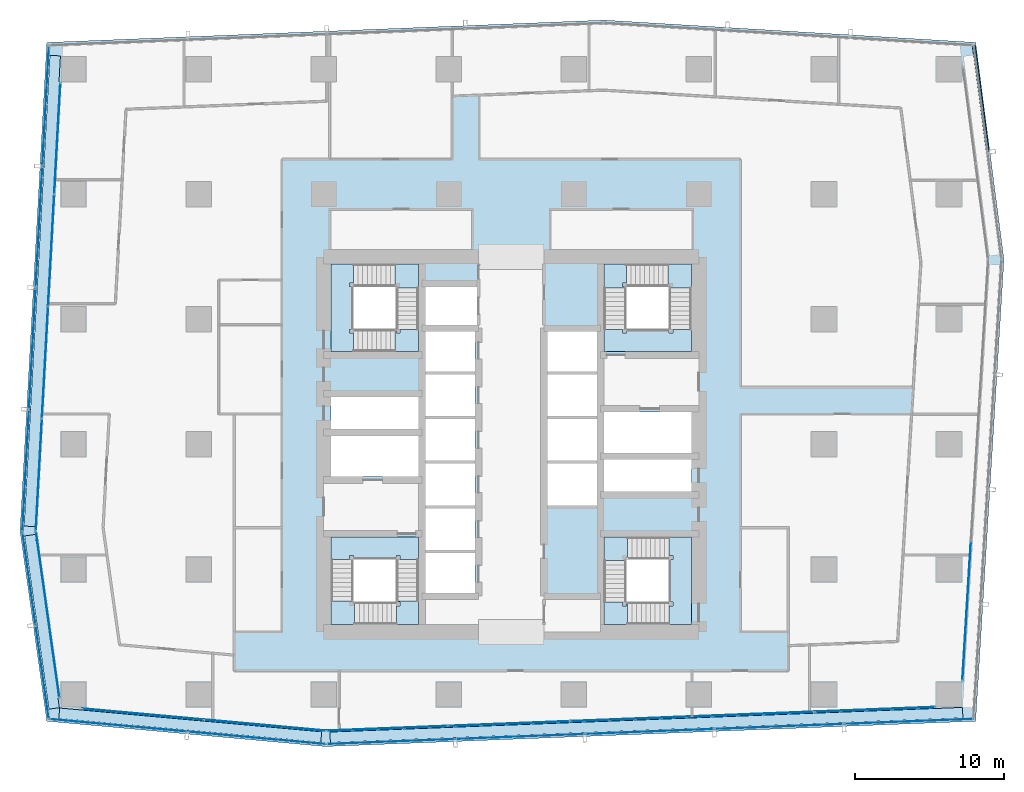
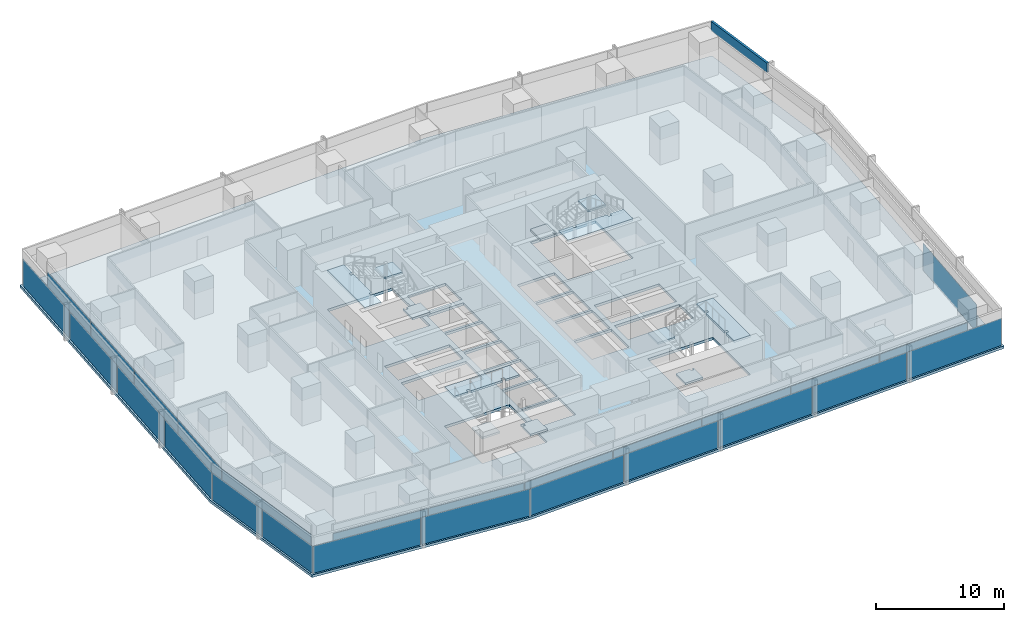
# One storey, part 27 of 40: 30 plates, 13 slabs, 1 member, 14 elements without a shape of their own.
"""IFC4 building model written with IfcOpenShell, lengths in metres."""

from ifc_helpers import new_model, si_unit, direction, frame, origin, origin_2d, place, context, subcontext, project, spatial, polyline, rectangle, hollow_rectangle, outline, extrude, material, layer, layer_set, material_profile, profile_set, type_object, element, aggregate, save


model = new_model("IFC4")

# Units and contexts
model_context = context("Model", 3, precision=1e-05, world=origin(), true_north=direction((0.0, 1.0)))
body_context = subcontext(model_context, "Body", "Model", "MODEL_VIEW")
ifc_project = project(units=[si_unit("LENGTHUNIT", "METRE"), si_unit("AREAUNIT", "SQUARE_METRE"), si_unit("VOLUMEUNIT", "CUBIC_METRE"), si_unit("PLANEANGLEUNIT", "RADIAN"), si_unit("MASSUNIT", "GRAM", prefix="KILO")], contexts=[model_context])

# Site, building, storey
site_placement = place(None, origin())
site = spatial("IfcSite", under=ifc_project, at=site_placement, CompositionType="ELEMENT")
building_placement = place(site_placement, origin())
building = spatial("IfcBuilding", under=site, at=building_placement, Name="Rekha Terrace Tower", CompositionType="ELEMENT")
storey_placement = place(building_placement, frame((0.0, 0.0, 102.800048828125)))
storey = spatial("IfcBuildingStorey", under=building, at=storey_placement, Name="L25", CompositionType="ELEMENT", Elevation=102.800048828125)

# Curtain wall, member
ifc_material_1 = material(Name="Aluminium framing", Category="aluminium")
curtain_wall_type_1 = type_object("IfcCurtainWallType", Name="CW2 double skin outer glazing", PredefinedType="USERDEFINED", material=ifc_material_1)
curtain_wall_1_placement = place(storey_placement, origin())
curtain_wall_1 = element("IfcCurtainWall", 1, at=curtain_wall_1_placement, inside=storey, type_object=curtain_wall_type_1, Name="CW2 double skin outer glazing", ObjectType="DOUBLE SKIN OUTER GLAZING", PredefinedType="USERDEFINED")
ifc_material_2 = material(Name="Insulated aluminium spandrel box", Category="aluminium")
ifc_material_profile = material_profile(ifc_material_2, hollow_rectangle(XDim=0.199951171875, YDim=0.89990234375, WallThickness=0.0029296875, at=origin_2d()), Name="AL SPANDREL BOX 200x900")
ifc_profile_set = profile_set([ifc_material_profile], Name="Insulated aluminium spandrel box")
member_type = type_object("IfcMemberType", Name="CW2 spandrel transom 200 x 900", PredefinedType="USERDEFINED", material=ifc_profile_set)
member_placement = place(storey_placement, frame((69.793701171875, 53.26513671875, 3.050048828125), z_axis=(-0.12912937971, 0.9916277544, 0.0), x_axis=(-0.9916277544, -0.12912937971, 0.0)))
member = element("IfcMember", 2, at=member_placement, type_object=member_type, Name="CW2 spandrel transom 2", ObjectType="TRANSOM", PredefinedType="USERDEFINED", context=body_context, shape_type="SweptSolid", body=[
    extrude(hollow_rectangle(XDim=0.199951171875, YDim=0.89990234375, WallThickness=0.0029296875, at=origin_2d()), origin(), (0.0, 0.0, 1.0), 7.163818359375),
])
aggregate(curtain_wall_1, [member])

# Curtain wall, plates
curtain_wall_type_2 = type_object("IfcCurtainWallType", Name="CW1 double skin inner glazing", PredefinedType="USERDEFINED", material=ifc_material_1)
curtain_wall_2_placement = place(storey_placement, origin())
curtain_wall_2 = element("IfcCurtainWall", 3, at=curtain_wall_2_placement, inside=storey, type_object=curtain_wall_type_2, Name="CW1 double skin inner glazing", ObjectType="DOUBLE SKIN INNER GLAZING", PredefinedType="USERDEFINED")
ifc_material_3 = material(Name="Double-glazed low-e unit 32", Category="glass")
ifc_layer_1 = layer(ifc_material_3, 0.031982421875)
ifc_layer_set_1 = layer_set([ifc_layer_1], Name="Double-glazed low-e unit 32")
plate_type_1 = type_object("IfcPlateType", Name="CW1 jumbo vision panel, double-glazed low-e unit 32", PredefinedType="CURTAIN_PANEL", material=ifc_layer_set_1)
plate_1_placement = place(storey_placement, frame((13.0439453125, 15.479248046875, 0.0), z_axis=(0.0, 0.0, 1.0), x_axis=(0.995901923142, -0.090439811381, 0.0)))
plate_1 = element("IfcPlate", 4, at=plate_1_placement, type_object=plate_type_1, Name="CW1 panel 1.1", PredefinedType="CURTAIN_PANEL", context=body_context, shape_type="SweptSolid", body=[
    extrude(rectangle(XDim=8.1494140625, YDim=0.031982421875, at=origin_2d()), origin(), (0.0, 0.0, 1.0), 2.60009765625),
])
plate_2_placement = place(storey_placement, frame((21.257080078125, 14.7333984375, 0.0), z_axis=(0.0, 0.0, 1.0), x_axis=(0.995901923142, -0.090439811381, 0.0)))
plate_2 = element("IfcPlate", 5, at=plate_2_placement, type_object=plate_type_1, Name="CW1 panel 2.1", PredefinedType="CURTAIN_PANEL", context=body_context, shape_type="SweptSolid", body=[
    extrude(rectangle(XDim=8.214599609375, YDim=0.031982421875, at=origin_2d()), origin(), (0.0, 0.0, 1.0), 2.60009765625),
])
aggregate(curtain_wall_2, [plate_1, plate_2])

curtain_wall_3_placement = place(storey_placement, origin())
curtain_wall_3 = element("IfcCurtainWall", 6, at=curtain_wall_3_placement, inside=storey, type_object=curtain_wall_type_2, Name="CW1 double skin inner glazing", ObjectType="DOUBLE SKIN INNER GLAZING", PredefinedType="USERDEFINED")
plate_3_placement = place(storey_placement, frame((29.4619140625, 14.52197265625, 0.0), z_axis=(0.0, 0.0, 1.0), x_axis=(0.999243498917, 0.038889971345, 0.0)))
plate_3 = element("IfcPlate", 7, at=plate_3_placement, type_object=plate_type_1, Name="CW1 panel 1.1", PredefinedType="CURTAIN_PANEL", context=body_context, shape_type="SweptSolid", body=[
    extrude(rectangle(XDim=8.105224609375, YDim=0.031982421875, at=origin_2d()), origin(), (0.0, 0.0, 1.0), 2.60009765625),
])
plate_4_placement = place(storey_placement, frame((37.64208984375, 14.84033203125, 0.0), z_axis=(0.0, 0.0, 1.0), x_axis=(0.999243498917, 0.038889971345, 0.0)))
plate_4 = element("IfcPlate", 8, at=plate_4_placement, type_object=plate_type_1, Name="CW1 panel 2.1", PredefinedType="CURTAIN_PANEL", context=body_context, shape_type="SweptSolid", body=[
    extrude(rectangle(XDim=8.1376953125, YDim=0.031982421875, at=origin_2d()), origin(), (0.0, 0.0, 1.0), 2.60009765625),
])
plate_5_placement = place(storey_placement, frame((45.838623046875, 15.159423828125, 0.0), z_axis=(0.0, 0.0, 1.0), x_axis=(0.999243498917, 0.038889971345, 0.0)))
plate_5 = element("IfcPlate", 9, at=plate_5_placement, type_object=plate_type_1, Name="CW1 panel 3.1", PredefinedType="CURTAIN_PANEL", context=body_context, shape_type="SweptSolid", body=[
    extrude(rectangle(XDim=8.1376953125, YDim=0.031982421875, at=origin_2d()), origin(), (0.0, 0.0, 1.0), 2.60009765625),
])
plate_6_placement = place(storey_placement, frame((54.034912109375, 15.478271484375, 0.0), z_axis=(0.0, 0.0, 1.0), x_axis=(0.999243498917, 0.038889971345, 0.0)))
plate_6 = element("IfcPlate", 10, at=plate_6_placement, type_object=plate_type_1, Name="CW1 panel 4.1", PredefinedType="CURTAIN_PANEL", context=body_context, shape_type="SweptSolid", body=[
    extrude(rectangle(XDim=8.1376953125, YDim=0.031982421875, at=origin_2d()), origin(), (0.0, 0.0, 1.0), 2.60009765625),
])
plate_7_placement = place(storey_placement, frame((62.21533203125, 15.796630859375, 0.0), z_axis=(0.0, 0.0, 1.0), x_axis=(0.999243498917, 0.038889971345, 0.0)))
plate_7 = element("IfcPlate", 11, at=plate_7_placement, type_object=plate_type_1, Name="CW1 panel 5.1", PredefinedType="CURTAIN_PANEL", context=body_context, shape_type="SweptSolid", body=[
    extrude(rectangle(XDim=8.105224609375, YDim=0.031982421875, at=origin_2d()), origin(), (0.0, 0.0, 1.0), 2.60009765625),
])
aggregate(curtain_wall_3, [plate_3, plate_4, plate_5, plate_6, plate_7])

# Curtain wall, plate
curtain_wall_4_placement = place(storey_placement, origin())
curtain_wall_4 = element("IfcCurtainWall", 12, at=curtain_wall_4_placement, inside=storey, type_object=curtain_wall_type_2, Name="CW1 double skin inner glazing", ObjectType="DOUBLE SKIN INNER GLAZING", PredefinedType="USERDEFINED")
plate_8_placement = place(storey_placement, frame((68.391357421875, 22.400634765625, 0.0), z_axis=(0.0, 0.0, 1.0), x_axis=(0.061159803131, 0.998127987024, 0.0)))
plate_8 = element("IfcPlate", 13, at=plate_8_placement, type_object=plate_type_1, Name="CW1 panel 1.1", PredefinedType="CURTAIN_PANEL", context=body_context, shape_type="SweptSolid", body=[
    extrude(rectangle(XDim=9.355224609375, YDim=0.031982421875, at=origin_2d()), origin(), (0.0, 0.0, 1.0), 2.60009765625),
])
aggregate(curtain_wall_4, [plate_8])

# Curtain wall, plates
curtain_wall_5_placement = place(storey_placement, origin())
curtain_wall_5 = element("IfcCurtainWall", 14, at=curtain_wall_5_placement, inside=storey, type_object=curtain_wall_type_2, Name="CW1 double skin inner glazing", ObjectType="DOUBLE SKIN INNER GLAZING", PredefinedType="USERDEFINED")
plate_9_placement = place(storey_placement, frame((7.30810546875, 54.15087890625, 0.0), z_axis=(0.0, 0.0, 1.0), x_axis=(-0.054742352707, -0.99850051318, 0.0)))
plate_9 = element("IfcPlate", 15, at=plate_9_placement, type_object=plate_type_1, Name="CW1 panel 1.1", PredefinedType="CURTAIN_PANEL", context=body_context, shape_type="SweptSolid", body=[
    extrude(rectangle(XDim=7.443359375, YDim=0.031982421875, at=origin_2d()), origin(), (0.0, 0.0, 1.0), 2.60009765625),
])
plate_10_placement = place(storey_placement, frame((6.89599609375, 46.637451171875, 0.0), z_axis=(0.0, 0.0, 1.0), x_axis=(-0.054742352707, -0.99850051318, 0.0)))
plate_10 = element("IfcPlate", 16, at=plate_10_placement, type_object=plate_type_1, Name="CW1 panel 2.1", PredefinedType="CURTAIN_PANEL", context=body_context, shape_type="SweptSolid", body=[
    extrude(rectangle(XDim=7.475830078125, YDim=0.031982421875, at=origin_2d()), origin(), (0.0, 0.0, 1.0), 2.60009765625),
])
plate_11_placement = place(storey_placement, frame((6.4833984375, 39.10791015625, 0.0), z_axis=(0.0, 0.0, 1.0), x_axis=(-0.054742352707, -0.99850051318, 0.0)))
plate_11 = element("IfcPlate", 17, at=plate_11_placement, type_object=plate_type_1, Name="CW1 panel 3.1", PredefinedType="CURTAIN_PANEL", context=body_context, shape_type="SweptSolid", body=[
    extrude(rectangle(XDim=7.475830078125, YDim=0.031982421875, at=origin_2d()), origin(), (0.0, 0.0, 1.0), 2.60009765625),
])
plate_12_placement = place(storey_placement, frame((6.069580078125, 31.56201171875, 0.0), z_axis=(0.0, 0.0, 1.0), x_axis=(-0.054742352707, -0.99850051318, 0.0)))
plate_12 = element("IfcPlate", 18, at=plate_12_placement, type_object=plate_type_1, Name="CW1 panel 4.1", PredefinedType="CURTAIN_PANEL", context=body_context, shape_type="SweptSolid", body=[
    extrude(rectangle(XDim=7.508544921875, YDim=0.031982421875, at=origin_2d()), origin(), (0.0, 0.0, 1.0), 2.60009765625),
])
aggregate(curtain_wall_5, [plate_9, plate_10, plate_11, plate_12])

# Curtain wall, plate
curtain_wall_6_placement = place(storey_placement, origin())
curtain_wall_6 = element("IfcCurtainWall", 19, at=curtain_wall_6_placement, inside=storey, type_object=curtain_wall_type_2, Name="CW1 double skin inner glazing", ObjectType="DOUBLE SKIN INNER GLAZING", PredefinedType="USERDEFINED")
plate_13_placement = place(storey_placement, frame((6.65869140625, 22.177490234375, 0.0), z_axis=(0.0, 0.0, 1.0), x_axis=(0.139597048082, -0.990208394312, 0.0)))
plate_13 = element("IfcPlate", 20, at=plate_13_placement, type_object=plate_type_1, Name="CW1 panel 1.1", PredefinedType="CURTAIN_PANEL", context=body_context, shape_type="SweptSolid", body=[
    extrude(rectangle(XDim=11.253173828125, YDim=0.031982421875, at=origin_2d()), origin(), (0.0, 0.0, 1.0), 2.60009765625),
])
aggregate(curtain_wall_6, [plate_13])

# Curtain wall, plates
curtain_wall_7_placement = place(storey_placement, origin())
curtain_wall_7 = element("IfcCurtainWall", 21, at=curtain_wall_7_placement, inside=storey, type_object=curtain_wall_type_1, Name="CW2 double skin outer glazing", ObjectType="DOUBLE SKIN OUTER GLAZING", PredefinedType="USERDEFINED")
ifc_material_4 = material(Name="Toughened single glazing 12", Category="glass")
ifc_layer_2 = layer(ifc_material_4, 0.011962890625)
ifc_layer_set_2 = layer_set([ifc_layer_2], Name="Toughened single glazing 12")
plate_type_2 = type_object("IfcPlateType", Name="CW2 jumbo vision panel, toughened single glazing 12", PredefinedType="CURTAIN_PANEL", material=ifc_layer_set_2)
plate_14_placement = place(storey_placement, frame((11.406494140625, 14.72412109375, 0.0), z_axis=(0.0, 0.0, 1.0), x_axis=(0.995901923137, -0.090439811433, 0.0)))
plate_14 = element("IfcPlate", 22, at=plate_14_placement, type_object=plate_type_2, Name="CW2 panel 1.1", PredefinedType="CURTAIN_PANEL", context=body_context, shape_type="SweptSolid", body=[
    extrude(rectangle(XDim=9.2099609375, YDim=0.011962890625, at=origin_2d()), origin(), (0.0, 0.0, 1.0), 2.60009765625),
])
plate_15_placement = place(storey_placement, frame((20.6982421875, 13.88037109375, 0.0), z_axis=(0.0, 0.0, 1.0), x_axis=(0.995901923137, -0.090439811433, 0.0)))
plate_15 = element("IfcPlate", 23, at=plate_15_placement, type_object=plate_type_2, Name="CW2 panel 2.1", PredefinedType="CURTAIN_PANEL", context=body_context, shape_type="SweptSolid", body=[
    extrude(rectangle(XDim=9.2900390625, YDim=0.011962890625, at=origin_2d()), origin(), (0.0, 0.0, 1.0), 2.60009765625),
])
aggregate(curtain_wall_7, [plate_14, plate_15])

curtain_wall_8_placement = place(storey_placement, origin())
curtain_wall_8 = element("IfcCurtainWall", 24, at=curtain_wall_8_placement, inside=storey, type_object=curtain_wall_type_1, Name="CW2 double skin outer glazing", ObjectType="DOUBLE SKIN OUTER GLAZING", PredefinedType="USERDEFINED")
plate_16_placement = place(storey_placement, frame((29.696533203125, 13.63037109375, 0.0), z_axis=(0.0, 0.0, 1.0), x_axis=(0.999243498917, 0.038889971345, 0.0)))
plate_16 = element("IfcPlate", 25, at=plate_16_placement, type_object=plate_type_2, Name="CW2 panel 1.1", PredefinedType="CURTAIN_PANEL", context=body_context, shape_type="SweptSolid", body=[
    extrude(rectangle(XDim=8.591552734375, YDim=0.011962890625, at=origin_2d()), origin(), (0.0, 0.0, 1.0), 2.60009765625),
])
plate_17_placement = place(storey_placement, frame((38.381591796875, 13.968505859375, 0.0), z_axis=(0.0, 0.0, 1.0), x_axis=(0.999243498917, 0.038889971345, 0.0)))
plate_17 = element("IfcPlate", 26, at=plate_17_placement, type_object=plate_type_2, Name="CW2 panel 2.1", PredefinedType="CURTAIN_PANEL", context=body_context, shape_type="SweptSolid", body=[
    extrude(rectangle(XDim=8.631591796875, YDim=0.011962890625, at=origin_2d()), origin(), (0.0, 0.0, 1.0), 2.60009765625),
])
plate_18_placement = place(storey_placement, frame((47.086669921875, 14.307373046875, 0.0), z_axis=(0.0, 0.0, 1.0), x_axis=(0.999243498917, 0.038889971345, 0.0)))
plate_18 = element("IfcPlate", 27, at=plate_18_placement, type_object=plate_type_2, Name="CW2 panel 3.1", PredefinedType="CURTAIN_PANEL", context=body_context, shape_type="SweptSolid", body=[
    extrude(rectangle(XDim=8.631591796875, YDim=0.011962890625, at=origin_2d()), origin(), (0.0, 0.0, 1.0), 2.60009765625),
])
plate_19_placement = place(storey_placement, frame((55.791748046875, 14.64599609375, 0.0), z_axis=(0.0, 0.0, 1.0), x_axis=(0.999243498917, 0.038889971345, 0.0)))
plate_19 = element("IfcPlate", 28, at=plate_19_placement, type_object=plate_type_2, Name="CW2 panel 4.1", PredefinedType="CURTAIN_PANEL", context=body_context, shape_type="SweptSolid", body=[
    extrude(rectangle(XDim=8.631591796875, YDim=0.011962890625, at=origin_2d()), origin(), (0.0, 0.0, 1.0), 2.60009765625),
])
plate_20_placement = place(storey_placement, frame((64.5166015625, 14.985595703125, 0.0), z_axis=(0.0, 0.0, 1.0), x_axis=(0.999243498917, 0.038889971345, 0.0)))
plate_20 = element("IfcPlate", 29, at=plate_20_placement, type_object=plate_type_2, Name="CW2 panel 5.1", PredefinedType="CURTAIN_PANEL", context=body_context, shape_type="SweptSolid", body=[
    extrude(rectangle(XDim=8.671630859375, YDim=0.011962890625, at=origin_2d()), origin(), (0.0, 0.0, 1.0), 2.60009765625),
])
aggregate(curtain_wall_8, [plate_16, plate_17, plate_18, plate_19, plate_20])

curtain_wall_9_placement = place(storey_placement, origin())
curtain_wall_9 = element("IfcCurtainWall", 30, at=curtain_wall_9_placement, inside=storey, type_object=curtain_wall_type_1, Name="CW2 double skin outer glazing", ObjectType="DOUBLE SKIN OUTER GLAZING", PredefinedType="USERDEFINED")
plate_21_placement = place(storey_placement, frame((6.52685546875, 56.342041015625, 0.0), z_axis=(0.0, 0.0, 1.0), x_axis=(-0.054742352707, -0.99850051318, 0.0)))
plate_21 = element("IfcPlate", 31, at=plate_21_placement, type_object=plate_type_2, Name="CW2 panel 1.1", PredefinedType="CURTAIN_PANEL", context=body_context, shape_type="SweptSolid", body=[
    extrude(rectangle(XDim=8.06005859375, YDim=0.011962890625, at=origin_2d()), origin(), (0.0, 0.0, 1.0), 2.60009765625),
])
plate_22_placement = place(storey_placement, frame((6.080078125, 48.1943359375, 0.0), z_axis=(0.0, 0.0, 1.0), x_axis=(-0.054742352707, -0.99850051318, 0.0)))
plate_22 = element("IfcPlate", 32, at=plate_22_placement, type_object=plate_type_2, Name="CW2 panel 2.1", PredefinedType="CURTAIN_PANEL", context=body_context, shape_type="SweptSolid", body=[
    extrude(rectangle(XDim=8.10009765625, YDim=0.011962890625, at=origin_2d()), origin(), (0.0, 0.0, 1.0), 2.60009765625),
])
plate_23_placement = place(storey_placement, frame((5.63232421875, 40.026611328125, 0.0), z_axis=(0.0, 0.0, 1.0), x_axis=(-0.054742352707, -0.99850051318, 0.0)))
plate_23 = element("IfcPlate", 33, at=plate_23_placement, type_object=plate_type_2, Name="CW2 panel 3.1", PredefinedType="CURTAIN_PANEL", context=body_context, shape_type="SweptSolid", body=[
    extrude(rectangle(XDim=8.10009765625, YDim=0.011962890625, at=origin_2d()), origin(), (0.0, 0.0, 1.0), 2.60009765625),
])
plate_24_placement = place(storey_placement, frame((5.183349609375, 31.8388671875, 0.0), z_axis=(0.0, 0.0, 1.0), x_axis=(-0.054742352707, -0.99850051318, 0.0)))
plate_24 = element("IfcPlate", 34, at=plate_24_placement, type_object=plate_type_2, Name="CW2 panel 4.1", PredefinedType="CURTAIN_PANEL", context=body_context, shape_type="SweptSolid", body=[
    extrude(rectangle(XDim=8.14013671875, YDim=0.011962890625, at=origin_2d()), origin(), (0.0, 0.0, 1.0), 2.60009765625),
])
aggregate(curtain_wall_9, [plate_21, plate_22, plate_23, plate_24])

curtain_wall_10_placement = place(storey_placement, origin())
curtain_wall_10 = element("IfcCurtainWall", 35, at=curtain_wall_10_placement, inside=storey, type_object=curtain_wall_type_1, Name="CW2 double skin outer glazing", ObjectType="DOUBLE SKIN OUTER GLAZING", PredefinedType="USERDEFINED")
plate_25_placement = place(storey_placement, frame((5.408447265625, 24.598388671875, 0.0), z_axis=(0.0, 0.0, 1.0), x_axis=(0.139597048082, -0.990208394312, 0.0)))
plate_25 = element("IfcPlate", 36, at=plate_25_placement, type_object=plate_type_2, Name="CW2 panel 1.1", PredefinedType="CURTAIN_PANEL", context=body_context, shape_type="SweptSolid", body=[
    extrude(rectangle(XDim=6.255859375, YDim=0.011962890625, at=origin_2d()), origin(), (0.0, 0.0, 1.0), 2.60009765625),
])
plate_26_placement = place(storey_placement, frame((6.298583984375, 18.284912109375, 0.0), z_axis=(0.0, 0.0, 1.0), x_axis=(0.139597048082, -0.990208394312, 0.0)))
plate_26 = element("IfcPlate", 37, at=plate_26_placement, type_object=plate_type_2, Name="CW2 panel 2.1", PredefinedType="CURTAIN_PANEL", context=body_context, shape_type="SweptSolid", body=[
    extrude(rectangle(XDim=6.3359375, YDim=0.011962890625, at=origin_2d()), origin(), (0.0, 0.0, 1.0), 2.60009765625),
])
aggregate(curtain_wall_10, [plate_25, plate_26])

# Plates
ifc_material_5 = material(Name="Galvanised steel open grating", Category="steel")
ifc_layer_3 = layer(ifc_material_5, 0.050048828125)
ifc_layer_set_3 = layer_set([ifc_layer_3], Name="Galvanised steel open grating")
plate_type_3 = type_object("IfcPlateType", Name="GT1 cavity walkway grating 50", PredefinedType="USERDEFINED", material=ifc_layer_set_3)
plate_27_placement = place(storey_placement, frame((16.236083984375, 14.737548828125, 0.0), z_axis=(0.0, 0.0, 1.0), x_axis=(0.99590192314, -0.090439811399, 0.0)))
element("IfcPlate", 38, at=plate_27_placement, inside=storey, type_object=plate_type_3, Name="Cavity walkway grating", ObjectType="CAVITY WALKWAY GRATING", PredefinedType="USERDEFINED", context=body_context, shape_type="SweptSolid", body=[
    extrude(rectangle(XDim=17.674072265625, YDim=0.705078125, at=origin_2d()), origin(), (0.0, 0.0, 1.0), 0.050048828125),
])
plate_28_placement = place(storey_placement, frame((46.88037109375, 14.74951171875, 0.0), z_axis=(0.0, 0.0, 1.0), x_axis=(0.999243498917, 0.038889971345, 0.0)))
element("IfcPlate", 39, at=plate_28_placement, inside=storey, type_object=plate_type_3, Name="Cavity walkway grating", ObjectType="CAVITY WALKWAY GRATING", PredefinedType="USERDEFINED", context=body_context, shape_type="SweptSolid", body=[
    extrude(rectangle(XDim=42.521728515625, YDim=0.705078125, at=origin_2d()), origin(), (0.0, 0.0, 1.0), 0.050048828125),
])
plate_29_placement = place(storey_placement, frame((6.295654296875, 43.9033203125, 0.0), z_axis=(0.0, 0.0, 1.0), x_axis=(-0.05474235269, -0.998500513181, 0.0)))
element("IfcPlate", 40, at=plate_29_placement, inside=storey, type_object=plate_type_3, Name="Cavity walkway grating", ObjectType="CAVITY WALKWAY GRATING", PredefinedType="USERDEFINED", context=body_context, shape_type="SweptSolid", body=[
    extrude(rectangle(XDim=31.6669921875, YDim=0.705078125, at=origin_2d()), origin(), (0.0, 0.0, 1.0), 0.050048828125),
])
plate_30_placement = place(storey_placement, frame((6.2744140625, 21.678955078125, 0.0), z_axis=(0.0, 0.0, 1.0), x_axis=(0.139597048064, -0.990208394315, 0.0)))
element("IfcPlate", 41, at=plate_30_placement, inside=storey, type_object=plate_type_3, Name="Cavity walkway grating", ObjectType="CAVITY WALKWAY GRATING", PredefinedType="USERDEFINED", context=body_context, shape_type="SweptSolid", body=[
    extrude(rectangle(XDim=11.751220703125, YDim=0.705078125, at=origin_2d()), origin(), (0.0, 0.0, 1.0), 0.050048828125),
])

# Stair, slabs
ifc_material_6 = material(Name="Concrete M40", Category="concrete")
stair_type = type_object("IfcStairType", Name="ST30 stair, 30 risers of 125, going 310, 1500 wide flights, 3 flights", PredefinedType="HALF_TURN_STAIR", material=ifc_material_6)
stair_1_placement = place(storey_placement, origin())
stair_1 = element("IfcStair", 42, at=stair_1_placement, inside=storey, type_object=stair_type, Name="Stair ST1 L25 to L26", PredefinedType="HALF_TURN_STAIR")
ifc_layer_4 = layer(ifc_material_6, 0.199951171875)
ifc_layer_set_4 = layer_set([ifc_layer_4], Name="Concrete M40")
slab_type_1 = type_object("IfcSlabType", Name="LD1 200 concrete stair landing", PredefinedType="LANDING", material=ifc_layer_set_4)
slab_1_placement = place(storey_placement, frame((0.0, 0.0, 1.050048828125)))
slab_1 = element("IfcSlab", 43, at=slab_1_placement, type_object=slab_type_1, Name="ST1 landing 1", PredefinedType="LANDING", context=body_context, shape_type="SweptSolid", body=[
    extrude(outline(polyline([(30.074951171875, 21.5), (31.574951171875, 21.5), (31.574951171875, 23.0849609375), (30.074951171875, 23.0849609375), (30.074951171875, 23.0), (30.324951171875, 23.0), (30.324951171875, 22.75), (30.074951171875, 22.75), (30.074951171875, 21.5)])), origin(), (0.0, 0.0, 1.0), 0.199951171875),
])
slab_2_placement = place(storey_placement, frame((0.0, 0.0, 2.300048828125)))
slab_2 = element("IfcSlab", 44, at=slab_2_placement, type_object=slab_type_1, Name="ST1 landing 2", PredefinedType="LANDING", context=body_context, shape_type="SweptSolid", body=[
    extrude(outline(polyline([(27.199951171875, 23.0849609375), (25.699951171875, 23.0849609375), (25.699951171875, 21.5), (27.284912109375, 21.5), (27.284912109375, 23.0), (27.199951171875, 23.0), (27.199951171875, 23.0849609375)])), origin(), (0.0, 0.0, 1.0), 0.199951171875),
])
slab_3_placement = place(storey_placement, frame((0.0, 0.0, 3.550048828125)))
slab_3 = element("IfcSlab", 45, at=slab_3_placement, type_object=slab_type_1, Name="ST1 landing 3", PredefinedType="LANDING", context=body_context, shape_type="SweptSolid", body=[
    extrude(outline(polyline([(31.574951171875, 25.875), (31.574951171875, 27.375), (25.699951171875, 27.375), (25.699951171875, 25.875), (26.949951171875, 25.875), (26.949951171875, 26.125), (27.199951171875, 26.125), (27.199951171875, 25.875), (30.074951171875, 25.875), (30.074951171875, 26.125), (30.324951171875, 26.125), (30.324951171875, 25.875), (31.574951171875, 25.875)])), origin(), (0.0, 0.0, 1.0), 0.199951171875),
])
aggregate(stair_1, [slab_1, slab_2, slab_3])

stair_2_placement = place(storey_placement, origin())
stair_2 = element("IfcStair", 46, at=stair_2_placement, inside=storey, type_object=stair_type, Name="Stair ST2 L25 to L26", PredefinedType="HALF_TURN_STAIR")
slab_4_placement = place(storey_placement, frame((0.0, 0.0, 1.050048828125)))
slab_4 = element("IfcSlab", 47, at=slab_4_placement, type_object=slab_type_1, Name="ST2 landing 1", PredefinedType="LANDING", context=body_context, shape_type="SweptSolid", body=[
    extrude(outline(polyline([(45.52490234375, 45.699951171875), (44.02490234375, 45.699951171875), (44.02490234375, 44.114990234375), (45.52490234375, 44.114990234375), (45.52490234375, 44.199951171875), (45.27490234375, 44.199951171875), (45.27490234375, 44.449951171875), (45.52490234375, 44.449951171875), (45.52490234375, 45.699951171875)])), origin(), (0.0, 0.0, 1.0), 0.199951171875),
])
slab_5_placement = place(storey_placement, frame((0.0, 0.0, 2.300048828125)))
slab_5 = element("IfcSlab", 48, at=slab_5_placement, type_object=slab_type_1, Name="ST2 landing 2", PredefinedType="LANDING", context=body_context, shape_type="SweptSolid", body=[
    extrude(outline(polyline([(48.39990234375, 44.114990234375), (49.89990234375, 44.114990234375), (49.89990234375, 45.699951171875), (48.31494140625, 45.699951171875), (48.31494140625, 44.199951171875), (48.39990234375, 44.199951171875), (48.39990234375, 44.114990234375)])), origin(), (0.0, 0.0, 1.0), 0.199951171875),
])
slab_6_placement = place(storey_placement, frame((0.0, 0.0, 3.550048828125)))
slab_6 = element("IfcSlab", 49, at=slab_6_placement, type_object=slab_type_1, Name="ST2 landing 3", PredefinedType="LANDING", context=body_context, shape_type="SweptSolid", body=[
    extrude(outline(polyline([(44.02490234375, 41.324951171875), (44.02490234375, 39.824951171875), (49.89990234375, 39.824951171875), (49.89990234375, 41.324951171875), (48.64990234375, 41.324951171875), (48.64990234375, 41.074951171875), (48.39990234375, 41.074951171875), (48.39990234375, 41.324951171875), (45.52490234375, 41.324951171875), (45.52490234375, 41.074951171875), (45.27490234375, 41.074951171875), (45.27490234375, 41.324951171875), (44.02490234375, 41.324951171875)])), origin(), (0.0, 0.0, 1.0), 0.199951171875),
])
aggregate(stair_2, [slab_4, slab_5, slab_6])

stair_3_placement = place(storey_placement, origin())
stair_3 = element("IfcStair", 50, at=stair_3_placement, inside=storey, type_object=stair_type, Name="Stair ST3 L25 to L26", PredefinedType="HALF_TURN_STAIR")
slab_7_placement = place(storey_placement, frame((0.0, 0.0, 1.050048828125)))
slab_7 = element("IfcSlab", 51, at=slab_7_placement, type_object=slab_type_1, Name="ST3 landing 1", PredefinedType="LANDING", context=body_context, shape_type="SweptSolid", body=[
    extrude(outline(polyline([(44.02490234375, 23.0), (44.02490234375, 21.5), (45.610107421875, 21.5), (45.610107421875, 23.0), (45.52490234375, 23.0), (45.52490234375, 22.75), (45.27490234375, 22.75), (45.27490234375, 23.0), (44.02490234375, 23.0)])), origin(), (0.0, 0.0, 1.0), 0.199951171875),
])
slab_8_placement = place(storey_placement, frame((0.0, 0.0, 2.300048828125)))
slab_8 = element("IfcSlab", 52, at=slab_8_placement, type_object=slab_type_1, Name="ST3 landing 2", PredefinedType="LANDING", context=body_context, shape_type="SweptSolid", body=[
    extrude(outline(polyline([(45.610107421875, 25.875), (45.610107421875, 27.375), (44.02490234375, 27.375), (44.02490234375, 25.7900390625), (45.52490234375, 25.7900390625), (45.52490234375, 25.875), (45.610107421875, 25.875)])), origin(), (0.0, 0.0, 1.0), 0.199951171875),
])
slab_9_placement = place(storey_placement, frame((0.0, 0.0, 3.550048828125)))
slab_9 = element("IfcSlab", 53, at=slab_9_placement, type_object=slab_type_1, Name="ST3 landing 3", PredefinedType="LANDING", context=body_context, shape_type="SweptSolid", body=[
    extrude(outline(polyline([(48.39990234375, 21.5), (49.89990234375, 21.5), (49.89990234375, 27.375), (48.39990234375, 27.375), (48.39990234375, 26.125), (48.64990234375, 26.125), (48.64990234375, 25.875), (48.39990234375, 25.875), (48.39990234375, 23.0), (48.64990234375, 23.0), (48.64990234375, 22.75), (48.39990234375, 22.75), (48.39990234375, 21.5)])), origin(), (0.0, 0.0, 1.0), 0.199951171875),
])
aggregate(stair_3, [slab_7, slab_8, slab_9])

stair_4_placement = place(storey_placement, origin())
stair_4 = element("IfcStair", 54, at=stair_4_placement, inside=storey, type_object=stair_type, Name="Stair ST4 L25 to L26", PredefinedType="HALF_TURN_STAIR")
slab_10_placement = place(storey_placement, frame((0.0, 0.0, 1.050048828125)))
slab_10 = element("IfcSlab", 55, at=slab_10_placement, type_object=slab_type_1, Name="ST4 landing 1", PredefinedType="LANDING", context=body_context, shape_type="SweptSolid", body=[
    extrude(outline(polyline([(31.574951171875, 41.324951171875), (31.574951171875, 39.824951171875), (29.989990234375, 39.824951171875), (29.989990234375, 41.324951171875), (30.074951171875, 41.324951171875), (30.074951171875, 41.074951171875), (30.324951171875, 41.074951171875), (30.324951171875, 41.324951171875), (31.574951171875, 41.324951171875)])), origin(), (0.0, 0.0, 1.0), 0.199951171875),
])
slab_11_placement = place(storey_placement, frame((0.0, 0.0, 2.300048828125)))
slab_11 = element("IfcSlab", 56, at=slab_11_placement, type_object=slab_type_1, Name="ST4 landing 2", PredefinedType="LANDING", context=body_context, shape_type="SweptSolid", body=[
    extrude(outline(polyline([(29.989990234375, 44.199951171875), (29.989990234375, 45.699951171875), (31.574951171875, 45.699951171875), (31.574951171875, 44.114990234375), (30.074951171875, 44.114990234375), (30.074951171875, 44.199951171875), (29.989990234375, 44.199951171875)])), origin(), (0.0, 0.0, 1.0), 0.199951171875),
])
slab_12_placement = place(storey_placement, frame((0.0, 0.0, 3.550048828125)))
slab_12 = element("IfcSlab", 57, at=slab_12_placement, type_object=slab_type_1, Name="ST4 landing 3", PredefinedType="LANDING", context=body_context, shape_type="SweptSolid", body=[
    extrude(outline(polyline([(27.199951171875, 39.824951171875), (25.699951171875, 39.824951171875), (25.699951171875, 45.699951171875), (27.199951171875, 45.699951171875), (27.199951171875, 44.449951171875), (26.949951171875, 44.449951171875), (26.949951171875, 44.199951171875), (27.199951171875, 44.199951171875), (27.199951171875, 41.324951171875), (26.949951171875, 41.324951171875), (26.949951171875, 41.074951171875), (27.199951171875, 41.074951171875), (27.199951171875, 39.824951171875)])), origin(), (0.0, 0.0, 1.0), 0.199951171875),
])
aggregate(stair_4, [slab_10, slab_11, slab_12])

# Slab
ifc_material_7 = material(Name="Concrete M50", Category="concrete")
ifc_layer_5 = layer(ifc_material_7, 0.25)
ifc_layer_set_5 = layer_set([ifc_layer_5], Name="Concrete M50")
slab_type_2 = type_object("IfcSlabType", Name="SL4 250 post-tensioned flat plate", PredefinedType="FLOOR", material=ifc_layer_set_5)
slab_13_placement = place(storey_placement, frame((0.0, 0.0, -0.25)))
element("IfcSlab", 58, at=slab_13_placement, inside=storey, type_object=slab_type_2, Name="Post-tensioned flat plate L25", PredefinedType="FLOOR", context=body_context, shape_type="SweptSolid", body=[
    extrude(outline(polyline([(4.800048828125, 27.76806640625), (6.60009765625, 15.0), (25.320068359375, 13.300048828125), (69.0, 15.0), (70.89990234375, 46.008056640625), (69.0, 60.60009765625), (44.0400390625, 62.10009765625), (6.60009765625, 60.60009765625), (4.800048828125, 27.76806640625)]), holes=[polyline([(31.574951171875, 27.375), (31.574951171875, 21.5), (25.699951171875, 21.5), (25.699951171875, 27.375), (31.574951171875, 27.375)]), polyline([(35.375, 26.300048828125), (35.375, 23.625), (32.02490234375, 23.625), (32.02490234375, 26.300048828125), (35.375, 26.300048828125)]), polyline([(35.375, 29.300048828125), (35.375, 26.5), (32.02490234375, 26.5), (32.02490234375, 29.300048828125), (35.375, 29.300048828125)]), polyline([(35.375, 32.300048828125), (35.375, 29.5), (32.02490234375, 29.5), (32.02490234375, 32.300048828125), (35.375, 32.300048828125)]), polyline([(31.574951171875, 34.175048828125), (31.574951171875, 31.425048828125), (25.699951171875, 31.425048828125), (25.699951171875, 34.175048828125), (31.574951171875, 34.175048828125)]), polyline([(35.375, 35.300048828125), (35.375, 32.5), (32.02490234375, 32.5), (32.02490234375, 35.300048828125), (35.375, 35.300048828125)]), polyline([(31.574951171875, 36.77490234375), (31.574951171875, 34.625), (25.699951171875, 34.625), (25.699951171875, 36.77490234375), (31.574951171875, 36.77490234375)]), polyline([(35.375, 35.5), (32.02490234375, 35.5), (32.02490234375, 38.300048828125), (35.375, 38.300048828125), (35.375, 35.5)]), polyline([(35.375, 38.5), (32.02490234375, 38.5), (32.02490234375, 41.175048828125), (35.375, 41.175048828125), (35.375, 38.5)]), polyline([(31.574951171875, 45.699951171875), (31.574951171875, 39.824951171875), (25.699951171875, 39.824951171875), (25.699951171875, 45.699951171875), (31.574951171875, 45.699951171875)]), polyline([(49.89990234375, 27.375), (49.89990234375, 21.5), (44.02490234375, 21.5), (44.02490234375, 27.375), (49.89990234375, 27.375)]), polyline([(43.574951171875, 32.300048828125), (43.574951171875, 29.5), (40.22509765625, 29.5), (40.22509765625, 32.300048828125), (43.574951171875, 32.300048828125)]), polyline([(49.89990234375, 30.425048828125), (44.02490234375, 30.425048828125), (44.02490234375, 32.574951171875), (49.89990234375, 32.574951171875), (49.89990234375, 30.425048828125)]), polyline([(43.574951171875, 32.5), (40.22509765625, 32.5), (40.22509765625, 35.300048828125), (43.574951171875, 35.300048828125), (43.574951171875, 32.5)]), polyline([(49.89990234375, 35.77490234375), (49.89990234375, 33.02490234375), (44.02490234375, 33.02490234375), (44.02490234375, 35.77490234375), (49.89990234375, 35.77490234375)]), polyline([(43.574951171875, 38.300048828125), (43.574951171875, 35.5), (40.22509765625, 35.5), (40.22509765625, 38.300048828125), (43.574951171875, 38.300048828125)]), polyline([(43.574951171875, 41.175048828125), (43.574951171875, 38.5), (40.22509765625, 38.5), (40.22509765625, 41.175048828125), (43.574951171875, 41.175048828125)]), polyline([(49.89990234375, 39.824951171875), (44.02490234375, 39.824951171875), (44.02490234375, 45.699951171875), (49.89990234375, 45.699951171875), (49.89990234375, 39.824951171875)]), polyline([(35.5, 41.625), (32.02490234375, 41.625), (32.02490234375, 44.175048828125), (35.5, 44.175048828125), (35.5, 41.625)])]), origin(), (0.0, 0.0, 1.0), 0.25),
])

save(model, "model.ifc")
